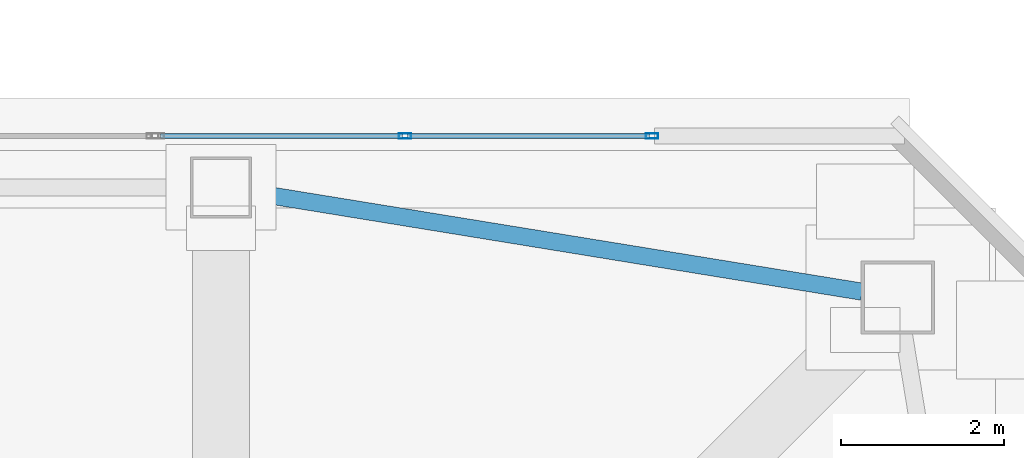
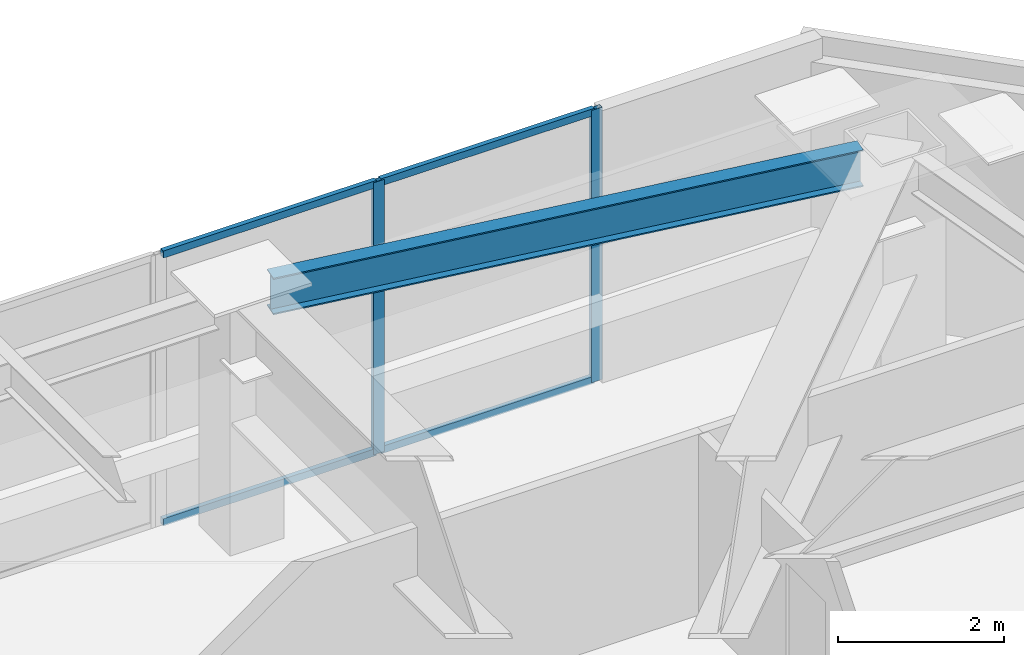
# One storey, part 19 of 51: 6 members, 1 beam, 1 element without a shape of its own.
"""IFC4 building model written with IfcOpenShell, lengths in metres."""

from ifc_helpers import new_model, si_unit, direction, frame, origin, origin_2d, place, context, subcontext, project, spatial, hollow_rectangle, i_section, extrude, material, material_profile, profile_set, type_object, element, aggregate, save


model = new_model("IFC4")

# Units and contexts
model_context = context("Model", 3, precision=1e-05, world=origin(), true_north=direction((0.0, 1.0)))
body_context = subcontext(model_context, "Body", "Model", "MODEL_VIEW")
ifc_project = project(units=[si_unit("LENGTHUNIT", "METRE"), si_unit("AREAUNIT", "SQUARE_METRE"), si_unit("VOLUMEUNIT", "CUBIC_METRE"), si_unit("PLANEANGLEUNIT", "RADIAN"), si_unit("MASSUNIT", "GRAM", prefix="KILO")], contexts=[model_context])

# Site, building, storey
site_placement = place(None, origin())
site = spatial("IfcSite", under=ifc_project, at=site_placement, CompositionType="ELEMENT")
building_placement = place(site_placement, origin())
building = spatial("IfcBuilding", under=site, at=building_placement, Name="Tashvorn Skyway Center", CompositionType="ELEMENT")
storey_placement = place(building_placement, frame((0.0, 0.0, 259.39990234375)))
storey = spatial("IfcBuildingStorey", under=building, at=storey_placement, Name="L70", CompositionType="ELEMENT", Elevation=259.39990234375)

# Beam
ifc_material_1 = material(Name="Steel ASTM A992 Grade 50", Category="steel")
ifc_material_profile_1 = material_profile(ifc_material_1, i_section(OverallWidth=0.2109375, OverallDepth=0.5390625, WebThickness=0.01171875, FlangeThickness=0.018798828125, at=origin_2d()), Name="W21X73")
ifc_profile_set_1 = profile_set([ifc_material_profile_1], Name="Steel ASTM A992 Grade 50")
beam_type = type_object("IfcBeamType", Name="BM-SPANDREL-W21X73", PredefinedType="SPANDREL", material=ifc_profile_set_1)
beam_placement = place(storey_placement, frame((55.2607421875, 45.771484375, 3.4306640625), z_axis=(-0.987032749583, 0.160519005885, 0.0), x_axis=(-0.160519005885, -0.987032749583, 0.0)))
element("IfcBeam", 1, at=beam_placement, inside=storey, type_object=beam_type, Name="Tower 1 L70 Spandrel Beam 07", PredefinedType="SPANDREL", context=body_context, shape_type="SweptSolid", body=[
    extrude(i_section(OverallWidth=0.2109375, OverallDepth=0.5390625, WebThickness=0.01171875, FlangeThickness=0.018798828125, at=origin_2d()), origin(), (0.0, 0.0, 1.0), 7.593994140625),
])

# Curtain wall, members
ifc_material_2 = material(Name="Thermally broken bronze-anodized aluminium 6063-T6", Category="aluminium")
curtain_wall_type = type_object("IfcCurtainWallType", Name="CW-CW-SKY", PredefinedType="NOTDEFINED", material=ifc_material_2)
curtain_wall_placement = place(storey_placement, origin())
curtain_wall = element("IfcCurtainWall", 2, at=curtain_wall_placement, inside=storey, type_object=curtain_wall_type, Name="Tower 1 L70 North Unitised Curtain Wall Glazing Group 3", PredefinedType="NOTDEFINED")
ifc_material_profile_2 = material_profile(ifc_material_2, hollow_rectangle(XDim=0.06494140625, YDim=0.14990234375, WallThickness=0.00390625, at=origin_2d()), Name="ALU-MULL-65x150")
ifc_profile_set_2 = profile_set([ifc_material_profile_2], Name="Thermally broken bronze-anodized aluminium 6063-T6")
member_type_1 = type_object("IfcMemberType", Name="CWM-CW-SKY", PredefinedType="MULLION", material=ifc_profile_set_2)
member_1_placement = place(storey_placement, frame((49.655517578125, 47.679931640625, 0.0), z_axis=(0.0, 0.0, 1.0), x_axis=(0.0, 1.0, 0.0)))
member_1 = element("IfcMember", 3, at=member_1_placement, type_object=member_type_1, Name="CW-SKY mullion 2", PredefinedType="MULLION", context=body_context, shape_type="SweptSolid", body=[
    extrude(hollow_rectangle(XDim=0.06494140625, YDim=0.14990234375, WallThickness=0.00390625, at=origin_2d()), origin(), (0.0, 0.0, 1.0), 4.0),
])
member_2_placement = place(storey_placement, frame((52.685302734375, 47.679931640625, 0.0), z_axis=(0.0, 0.0, 1.0), x_axis=(0.0, 1.0, 0.0)))
member_2 = element("IfcMember", 4, at=member_2_placement, type_object=member_type_1, Name="CW-SKY mullion 3", PredefinedType="MULLION", context=body_context, shape_type="SweptSolid", body=[
    extrude(hollow_rectangle(XDim=0.06494140625, YDim=0.14990234375, WallThickness=0.00390625, at=origin_2d()), origin(), (0.0, 0.0, 1.0), 4.0),
])
ifc_material_profile_3 = material_profile(ifc_material_2, hollow_rectangle(XDim=0.06494140625, YDim=0.10498046875, WallThickness=0.00390625, at=origin_2d()), Name="ALU-TRAN-65x105")
ifc_profile_set_3 = profile_set([ifc_material_profile_3], Name="Thermally broken bronze-anodized aluminium 6063-T6")
member_type_2 = type_object("IfcMemberType", Name="CWT-CW-SKY", PredefinedType="USERDEFINED", material=ifc_profile_set_3)
member_3_placement = place(storey_placement, frame((46.658203125, 47.679931640625, 0.03271484375), z_axis=(1.0, 0.0, 0.0), x_axis=(0.0, 1.0, 0.0)))
member_3 = element("IfcMember", 5, at=member_3_placement, type_object=member_type_2, Name="CW-SKY transom 1.1", ObjectType="TRANSOM", PredefinedType="USERDEFINED", context=body_context, shape_type="SweptSolid", body=[
    extrude(hollow_rectangle(XDim=0.06494140625, YDim=0.10498046875, WallThickness=0.00390625, at=origin_2d()), origin(), (0.0, 0.0, 1.0), 2.96484375),
])
member_4_placement = place(storey_placement, frame((46.658203125, 47.679931640625, 3.967529296875), z_axis=(1.0, 0.0, 0.0), x_axis=(0.0, 1.0, 0.0)))
member_4 = element("IfcMember", 6, at=member_4_placement, type_object=member_type_2, Name="CW-SKY transom 1.2", ObjectType="TRANSOM", PredefinedType="USERDEFINED", context=body_context, shape_type="SweptSolid", body=[
    extrude(hollow_rectangle(XDim=0.06494140625, YDim=0.10498046875, WallThickness=0.00390625, at=origin_2d()), origin(), (0.0, 0.0, 1.0), 2.96484375),
])
member_5_placement = place(storey_placement, frame((49.68798828125, 47.679931640625, 0.03271484375), z_axis=(1.0, 0.0, 0.0), x_axis=(0.0, 1.0, 0.0)))
member_5 = element("IfcMember", 7, at=member_5_placement, type_object=member_type_2, Name="CW-SKY transom 2.1", ObjectType="TRANSOM", PredefinedType="USERDEFINED", context=body_context, shape_type="SweptSolid", body=[
    extrude(hollow_rectangle(XDim=0.06494140625, YDim=0.10498046875, WallThickness=0.00390625, at=origin_2d()), origin(), (0.0, 0.0, 1.0), 2.96484375),
])
member_6_placement = place(storey_placement, frame((49.68798828125, 47.679931640625, 3.967529296875), z_axis=(1.0, 0.0, 0.0), x_axis=(0.0, 1.0, 0.0)))
member_6 = element("IfcMember", 8, at=member_6_placement, type_object=member_type_2, Name="CW-SKY transom 2.2", ObjectType="TRANSOM", PredefinedType="USERDEFINED", context=body_context, shape_type="SweptSolid", body=[
    extrude(hollow_rectangle(XDim=0.06494140625, YDim=0.10498046875, WallThickness=0.00390625, at=origin_2d()), origin(), (0.0, 0.0, 1.0), 2.96484375),
])
aggregate(curtain_wall, [member_1, member_2, member_3, member_4, member_5, member_6])

save(model, "model.ifc")
